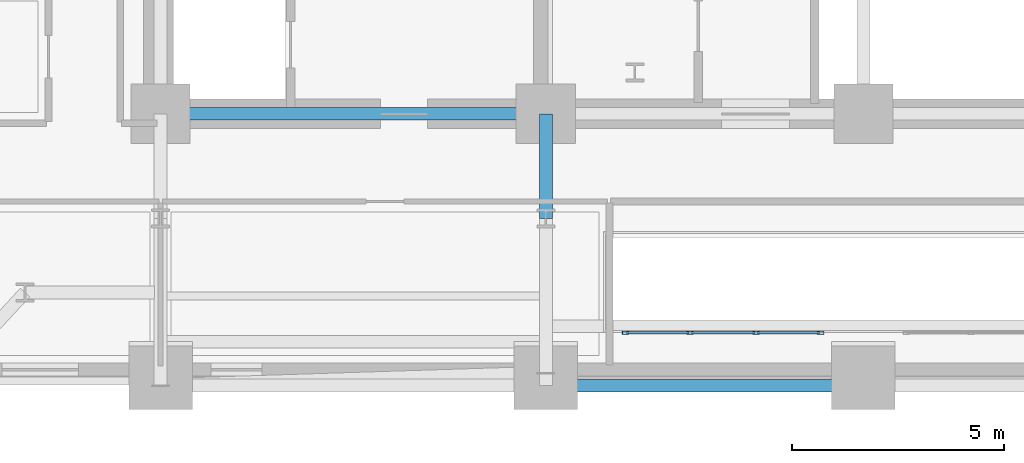
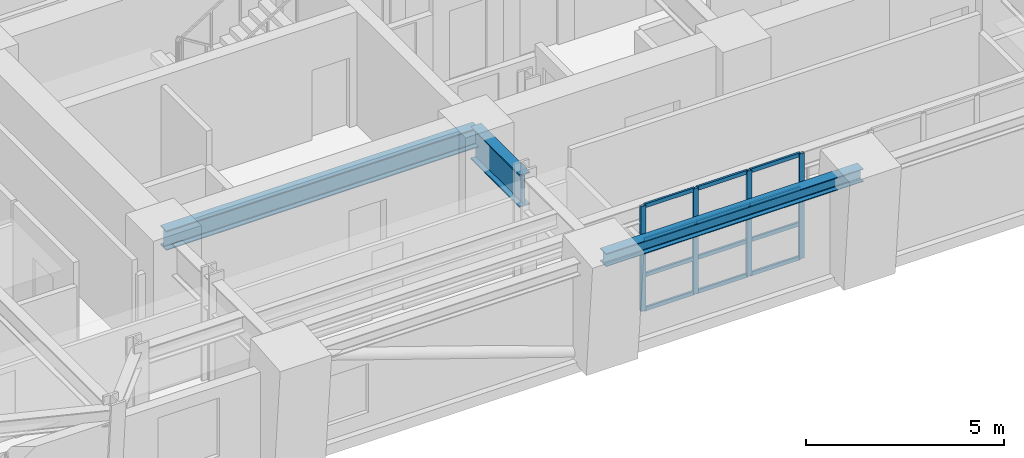
# One storey, part 2 of 15: 16 members, 3 beams, 1 element without a shape of its own.
"""IFC4 building model written with IfcOpenShell, lengths in metres."""

import ifcopenshell
import ifcopenshell.guid

model = None  # the IFC model being written
_history = None  # IfcOwnerHistory: only IFC2X3 demands one
_inside = {}  # id of a spatial element -> (the spatial element, [elements in it])
_under = {}  # id of a project, library or spatial element -> (it, [spatial elements below it])
_declared = {}  # id of a project -> (the project, [libraries it declares])
_typed = {}  # id of a type object -> (the type object, [elements of that type])
_made_of = {}  # id of a material, layer set ... -> (it, [elements and type objects made of it])


def new_model(schema):
    """Start an empty IFC model of exactly this schema.

    Asked for "IFC4X3", IfcOpenShell would pick the latest addendum, in which some entities
    have other attributes; the version numbers below select the first issue.
    IFC2X3 requires an IfcOwnerHistory on every rooted entity: one is made here for all.
    """
    global model, _history
    if schema == "IFC4X3":
        model = ifcopenshell.file(schema_version=(4, 3, 0, 0))
    else:
        model = ifcopenshell.file(schema=schema)
    _inside.clear()
    _under.clear()
    _declared.clear()
    _typed.clear()
    _made_of.clear()
    _history = None
    if model.schema == "IFC2X3":
        org = make("IfcOrganization", Name="unknown")
        user = make(
            "IfcPersonAndOrganization",
            ThePerson=make("IfcPerson", FamilyName="unknown"),
            TheOrganization=org,
        )
        app = make(
            "IfcApplication",
            ApplicationDeveloper=org,
            Version="unknown",
            ApplicationFullName="unknown",
            ApplicationIdentifier="unknown",
        )
        _history = make(
            "IfcOwnerHistory",
            OwningUser=user,
            OwningApplication=app,
            ChangeAction="ADDED",
            CreationDate=0,
        )
    return model


def make(cls, **values):
    """One entity of the class cls with the attributes given. An attribute that is None is left unset."""
    return model.create_entity(
        cls, **{name: value for name, value in values.items() if value is not None}
    )


def rooted(cls, **values):
    """An entity with a GlobalId (a new one), such as an element, a storey or a relation."""
    return make(cls, GlobalId=ifcopenshell.guid.new(), OwnerHistory=_history, **values)


def si_unit(unit_type, name, prefix=None):
    """IfcSIUnit, for example si_unit("LENGTHUNIT", "METRE", prefix="MILLI")."""
    return make("IfcSIUnit", UnitType=unit_type, Prefix=prefix, Name=name)


def assignment(units):
    """IfcUnitAssignment: the units of a project."""
    return None if units is None else make("IfcUnitAssignment", Units=units)


def point(xyz):
    """IfcCartesianPoint."""
    return None if xyz is None else make("IfcCartesianPoint", Coordinates=xyz)


def direction(xyz):
    """IfcDirection."""
    return None if xyz is None else make("IfcDirection", DirectionRatios=xyz)


def frame(location, z_axis=None, x_axis=None):
    """IfcAxis2Placement3D, a coordinate frame: its origin and axes. An axis left out is left unset."""
    return make(
        "IfcAxis2Placement3D",
        Location=point(location),
        Axis=direction(z_axis),
        RefDirection=direction(x_axis),
    )


def frame_2d(location, x_axis=None):
    """IfcAxis2Placement2D, a coordinate frame in the plane: its origin and x axis."""
    return make(
        "IfcAxis2Placement2D", Location=point(location), RefDirection=direction(x_axis)
    )


def origin():
    """The frame at (0, 0, 0) with its axes left unset."""
    return frame((0.0, 0.0, 0.0))


def origin_2d():
    """The frame at (0, 0) in the plane with its x axis left unset."""
    return frame_2d((0.0, 0.0))


def place(relative_to, where):
    """IfcLocalPlacement: puts the frame where relative to a parent placement (None: the world)."""
    return make(
        "IfcLocalPlacement", PlacementRelTo=relative_to, RelativePlacement=where
    )


def context(
    kind, dimensions, precision=None, world=None, true_north=None, identifier=None
):
    """IfcGeometricRepresentationContext, for example the 3D "Model" context."""
    return make(
        "IfcGeometricRepresentationContext",
        ContextIdentifier=identifier,
        ContextType=kind,
        CoordinateSpaceDimension=dimensions,
        Precision=precision,
        WorldCoordinateSystem=world,
        TrueNorth=true_north,
    )


def subcontext(parent, identifier, kind, view, scale=None):
    """IfcGeometricRepresentationSubContext, for example "Body" below "Model"."""
    return make(
        "IfcGeometricRepresentationSubContext",
        ContextIdentifier=identifier,
        ContextType=kind,
        ParentContext=parent,
        TargetScale=scale,
        TargetView=view,
    )


def project(units=None, contexts=None):
    """IfcProject with its units and contexts."""
    return rooted(
        "IfcProject",
        Name="project",
        RepresentationContexts=contexts,
        UnitsInContext=assignment(units),
    )


def spatial(cls, under=None, at=None, **own):
    """A site, building, storey or space (cls), placed at a placement, below another one or the project."""
    s = rooted(cls, ObjectPlacement=at, **own)
    if under is not None:
        _under.setdefault(under.id(), (under, []))[1].append(s)
    return s


def profile(cls, at=None, kind="AREA", **sizes):
    """A parametric profile (cls). Its sizes go by their IFC names, for example OverallWidth=200.0."""
    return make(cls, ProfileType=kind, Position=at, **sizes)


def hollow_rectangle(**sizes):
    """IfcRectangleHollowProfileDef."""
    return profile("IfcRectangleHollowProfileDef", **sizes)


def i_section(**sizes):
    """IfcIShapeProfileDef."""
    return profile("IfcIShapeProfileDef", **sizes)


def extrude(swept, where, along, depth):
    """IfcExtrudedAreaSolid: the profile swept, set in the frame where, extruded along a direction by depth."""
    return make(
        "IfcExtrudedAreaSolid",
        SweptArea=swept,
        Position=where,
        ExtrudedDirection=direction(along),
        Depth=depth,
    )


def shape(context_of_items, identifier, shape_type, items):
    """IfcShapeRepresentation: the items that make up one representation, for example the "Body"."""
    return make(
        "IfcShapeRepresentation",
        ContextOfItems=context_of_items,
        RepresentationIdentifier=identifier,
        RepresentationType=shape_type,
        Items=items,
    )


def material(Name=None, Category=None):
    """IfcMaterial."""
    return make("IfcMaterial", Name=Name, Category=Category)


def layer(
    of_material, thickness, ventilated=None, Name=None, Category=None, Priority=None
):
    """IfcMaterialLayer: one layer of a wall or slab, of a material (None: an air gap)."""
    return make(
        "IfcMaterialLayer",
        Material=of_material,
        LayerThickness=thickness,
        IsVentilated=ventilated,
        Name=Name,
        Category=Category,
        Priority=Priority,
    )


def layer_set(layers, Name=None):
    """IfcMaterialLayerSet."""
    return make("IfcMaterialLayerSet", MaterialLayers=layers, LayerSetName=Name)


def material_profile(
    of_material, cross_section, Name=None, Category=None, Priority=None
):
    """IfcMaterialProfile: a cross section and its material."""
    return make(
        "IfcMaterialProfile",
        Name=Name,
        Material=of_material,
        Profile=cross_section,
        Priority=Priority,
        Category=Category,
    )


def profile_set(profiles, Name=None, composite=None):
    """IfcMaterialProfileSet."""
    return make(
        "IfcMaterialProfileSet",
        Name=Name,
        MaterialProfiles=profiles,
        CompositeProfile=composite,
    )


def made_of(thing, what):
    """Note that an element or type object is made of a material, layer set ...; save() writes the relation."""
    if what is not None:
        _made_of.setdefault(what.id(), (what, []))[1].append(thing)
    return thing


def type_object(cls, material=None, **own):
    """A type object (cls), such as IfcWallType, which elements share."""
    return made_of(rooted(cls, **own), material)


def element(
    cls,
    number,
    at=None,
    inside=None,
    cuts=None,
    type_object=None,
    material=None,
    context=None,
    identifier="Body",
    shape_type=None,
    held_by="IfcProductDefinitionShape",
    body=None,
    shapes=None,
    **own,
):
    """One element of the class cls, such as IfcWall. Its Tag is "e" and its number.

    at: its placement. inside: the storey or other place that contains it. cuts: it is an
    opening in that element (IfcRelVoidsElement). A single representation is given by context,
    identifier, shape_type and body (its items); several are given by shapes. held_by: the class
    of the entity that holds the representations. save() writes the other relations.
    """
    e = rooted(cls, Tag="e%d" % number, ObjectPlacement=at, **own)
    if body is not None:
        shapes = [shape(context, identifier, shape_type, body)]
    if shapes is not None:
        e.Representation = make(held_by, Representations=shapes)
    if inside is not None:
        _inside.setdefault(inside.id(), (inside, []))[1].append(e)
    if cuts is not None:
        rooted(
            "IfcRelVoidsElement", RelatingBuildingElement=cuts, RelatedOpeningElement=e
        )
    if type_object is not None:
        _typed.setdefault(type_object.id(), (type_object, []))[1].append(e)
    return made_of(e, material)


def aggregate(whole, parts):
    """IfcRelAggregates: a whole, such as a stair, and the parts it consists of."""
    return rooted("IfcRelAggregates", RelatingObject=whole, RelatedObjects=parts)


def save(model, path):
    """Write the relations noted so far, then the file.

    IfcRelAggregates (storeys below a building ...), IfcRelContainedInSpatialStructure (elements
    in a storey), IfcRelDefinesByType, IfcRelAssociatesMaterial and IfcRelDeclares: one each for
    every whole, place, type object, material and project.
    """
    for whole, parts in _under.values():
        aggregate(whole, parts)
    for where, things in _inside.values():
        rooted(
            "IfcRelContainedInSpatialStructure",
            RelatedElements=things,
            RelatingStructure=where,
        )
    for kind, things in _typed.values():
        rooted("IfcRelDefinesByType", RelatedObjects=things, RelatingType=kind)
    for what, things in _made_of.values():
        rooted("IfcRelAssociatesMaterial", RelatedObjects=things, RelatingMaterial=what)
    for by, libraries in _declared.values():
        rooted("IfcRelDeclares", RelatingContext=by, RelatedDefinitions=libraries)
    model.write(path)


model = new_model("IFC4")

# Units and contexts
model_context = context("Model", 3, precision=1e-05, world=origin(), true_north=direction((0.0, 1.0)))
body_context = subcontext(model_context, "Body", "Model", "MODEL_VIEW")
ifc_project = project(units=[si_unit("LENGTHUNIT", "METRE"), si_unit("AREAUNIT", "SQUARE_METRE"), si_unit("VOLUMEUNIT", "CUBIC_METRE"), si_unit("PLANEANGLEUNIT", "RADIAN"), si_unit("MASSUNIT", "GRAM", prefix="KILO")], contexts=[model_context])

# Site, building, storey
site_placement = place(None, origin())
site = spatial("IfcSite", under=ifc_project, at=site_placement, CompositionType="ELEMENT")
building_placement = place(site_placement, origin())
building = spatial("IfcBuilding", under=site, at=building_placement, Name="Zarnavel Station Tower", CompositionType="ELEMENT")
storey_placement = place(building_placement, frame((0.0, 0.0, 50.0)))
storey = spatial("IfcBuildingStorey", under=building, at=storey_placement, Name="L13", CompositionType="ELEMENT", Elevation=50.0)

# Curtain wall, members
ifc_material_1 = material(Name="Aluminium Dark Anodised and Solar-Control Glass", Category="aluminium")
ifc_layer = layer(ifc_material_1, 0.179931640625)
ifc_layer_set = layer_set([ifc_layer], Name="CWS2")
curtain_wall_type = type_object("IfcCurtainWallType", Name="CWS2", PredefinedType="NOTDEFINED", material=ifc_layer_set)
curtain_wall_placement = place(storey_placement, origin())
curtain_wall = element("IfcCurtainWall", 1, at=curtain_wall_placement, inside=storey, type_object=curtain_wall_type, Name="L13 Curtain Wall CWS2-L13-AS-S1", PredefinedType="NOTDEFINED")
ifc_material_2 = material(Name="Steel S355J2 (Black Fluoropolymer Coated)", Category="steel")
ifc_material_profile_1 = material_profile(ifc_material_2, hollow_rectangle(XDim=0.074951171875, YDim=0.14990234375, WallThickness=0.00634765625, at=origin_2d()), Name="RHS150x75x6.3")
ifc_profile_set_1 = profile_set([ifc_material_profile_1], Name="Steel S355J2 (Black Fluoropolymer Coated)")
member_type_1 = type_object("IfcMemberType", Name="CWS2_MUL", PredefinedType="MULLION", material=ifc_profile_set_1)
member_1_placement = place(storey_placement, frame((23.179931640625, 22.64990234375, 0.0), z_axis=(0.0, 0.0, 1.0), x_axis=(0.0, 1.0, 0.0)))
member_1 = element("IfcMember", 2, at=member_1_placement, type_object=member_type_1, Name="CW2 mullion 1", PredefinedType="MULLION", context=body_context, shape_type="SweptSolid", body=[
    extrude(hollow_rectangle(XDim=0.074951171875, YDim=0.14990234375, WallThickness=0.00634765625, at=origin_2d()), origin(), (0.0, 0.0, 1.0), 3.239990234375),
])
member_2_placement = place(storey_placement, frame((24.706787109375, 22.64990234375, 0.0), z_axis=(0.0, 0.0, 1.0), x_axis=(0.0, 1.0, 0.0)))
member_2 = element("IfcMember", 3, at=member_2_placement, type_object=member_type_1, Name="CW2 mullion 2", PredefinedType="MULLION", context=body_context, shape_type="SweptSolid", body=[
    extrude(hollow_rectangle(XDim=0.074951171875, YDim=0.14990234375, WallThickness=0.00634765625, at=origin_2d()), origin(), (0.0, 0.0, 1.0), 3.239990234375),
])
member_3_placement = place(storey_placement, frame((26.263427734375, 22.64990234375, 0.0), z_axis=(0.0, 0.0, 1.0), x_axis=(0.0, 1.0, 0.0)))
member_3 = element("IfcMember", 4, at=member_3_placement, type_object=member_type_1, Name="CW2 mullion 3", PredefinedType="MULLION", context=body_context, shape_type="SweptSolid", body=[
    extrude(hollow_rectangle(XDim=0.074951171875, YDim=0.14990234375, WallThickness=0.00634765625, at=origin_2d()), origin(), (0.0, 0.0, 1.0), 3.239990234375),
])
member_4_placement = place(storey_placement, frame((27.7900390625, 22.64990234375, 0.0), z_axis=(0.0, 0.0, 1.0), x_axis=(0.0, 1.0, 0.0)))
member_4 = element("IfcMember", 5, at=member_4_placement, type_object=member_type_1, Name="CW2 mullion 4", PredefinedType="MULLION", context=body_context, shape_type="SweptSolid", body=[
    extrude(hollow_rectangle(XDim=0.074951171875, YDim=0.14990234375, WallThickness=0.00634765625, at=origin_2d()), origin(), (0.0, 0.0, 1.0), 3.239990234375),
])
ifc_material_3 = material(Name="Steel S355J2 (Black Fluoropolymer Coated)", Category="steel")
ifc_material_profile_2 = material_profile(ifc_material_3, hollow_rectangle(XDim=0.06005859375, YDim=0.1201171875, WallThickness=0.0048828125, at=origin_2d()), Name="RHS120x60x5")
ifc_profile_set_2 = profile_set([ifc_material_profile_2], Name="Steel S355J2 (Black Fluoropolymer Coated)")
member_type_2 = type_object("IfcMemberType", Name="CWS2_TRN", PredefinedType="USERDEFINED", material=ifc_profile_set_2)
member_5_placement = place(storey_placement, frame((23.2099609375, 22.64990234375, 0.030029296875), z_axis=(1.0, 0.0, 0.0), x_axis=(0.0, 1.0, 0.0)))
member_5 = element("IfcMember", 6, at=member_5_placement, type_object=member_type_2, Name="CW2 transom 1.1", ObjectType="TRANSOM", PredefinedType="USERDEFINED", context=body_context, shape_type="SweptSolid", body=[
    extrude(hollow_rectangle(XDim=0.06005859375, YDim=0.1201171875, WallThickness=0.0048828125, at=origin_2d()), origin(), (0.0, 0.0, 1.0), 1.466796875),
])
member_6_placement = place(storey_placement, frame((23.2099609375, 22.64990234375, 1.080078125), z_axis=(1.0, 0.0, 0.0), x_axis=(0.0, 1.0, 0.0)))
member_6 = element("IfcMember", 7, at=member_6_placement, type_object=member_type_2, Name="CW2 transom 1.2", ObjectType="TRANSOM", PredefinedType="USERDEFINED", context=body_context, shape_type="SweptSolid", body=[
    extrude(hollow_rectangle(XDim=0.06005859375, YDim=0.1201171875, WallThickness=0.0048828125, at=origin_2d()), origin(), (0.0, 0.0, 1.0), 1.466796875),
])
member_7_placement = place(storey_placement, frame((23.2099609375, 22.64990234375, 2.159912109375), z_axis=(1.0, 0.0, 0.0), x_axis=(0.0, 1.0, 0.0)))
member_7 = element("IfcMember", 8, at=member_7_placement, type_object=member_type_2, Name="CW2 transom 1.3", ObjectType="TRANSOM", PredefinedType="USERDEFINED", context=body_context, shape_type="SweptSolid", body=[
    extrude(hollow_rectangle(XDim=0.06005859375, YDim=0.1201171875, WallThickness=0.0048828125, at=origin_2d()), origin(), (0.0, 0.0, 1.0), 1.466796875),
])
member_8_placement = place(storey_placement, frame((23.2099609375, 22.64990234375, 3.2099609375), z_axis=(1.0, 0.0, 0.0), x_axis=(0.0, 1.0, 0.0)))
member_8 = element("IfcMember", 9, at=member_8_placement, type_object=member_type_2, Name="CW2 transom 1.4", ObjectType="TRANSOM", PredefinedType="USERDEFINED", context=body_context, shape_type="SweptSolid", body=[
    extrude(hollow_rectangle(XDim=0.06005859375, YDim=0.1201171875, WallThickness=0.0048828125, at=origin_2d()), origin(), (0.0, 0.0, 1.0), 1.466796875),
])
member_9_placement = place(storey_placement, frame((24.736572265625, 22.64990234375, 0.030029296875), z_axis=(1.0, 0.0, 0.0), x_axis=(0.0, 1.0, 0.0)))
member_9 = element("IfcMember", 10, at=member_9_placement, type_object=member_type_2, Name="CW2 transom 2.1", ObjectType="TRANSOM", PredefinedType="USERDEFINED", context=body_context, shape_type="SweptSolid", body=[
    extrude(hollow_rectangle(XDim=0.06005859375, YDim=0.1201171875, WallThickness=0.0048828125, at=origin_2d()), origin(), (0.0, 0.0, 1.0), 1.496826171875),
])
member_10_placement = place(storey_placement, frame((24.736572265625, 22.64990234375, 1.080078125), z_axis=(1.0, 0.0, 0.0), x_axis=(0.0, 1.0, 0.0)))
member_10 = element("IfcMember", 11, at=member_10_placement, type_object=member_type_2, Name="CW2 transom 2.2", ObjectType="TRANSOM", PredefinedType="USERDEFINED", context=body_context, shape_type="SweptSolid", body=[
    extrude(hollow_rectangle(XDim=0.06005859375, YDim=0.1201171875, WallThickness=0.0048828125, at=origin_2d()), origin(), (0.0, 0.0, 1.0), 1.496826171875),
])
member_11_placement = place(storey_placement, frame((24.736572265625, 22.64990234375, 2.159912109375), z_axis=(1.0, 0.0, 0.0), x_axis=(0.0, 1.0, 0.0)))
member_11 = element("IfcMember", 12, at=member_11_placement, type_object=member_type_2, Name="CW2 transom 2.3", ObjectType="TRANSOM", PredefinedType="USERDEFINED", context=body_context, shape_type="SweptSolid", body=[
    extrude(hollow_rectangle(XDim=0.06005859375, YDim=0.1201171875, WallThickness=0.0048828125, at=origin_2d()), origin(), (0.0, 0.0, 1.0), 1.496826171875),
])
member_12_placement = place(storey_placement, frame((24.736572265625, 22.64990234375, 3.2099609375), z_axis=(1.0, 0.0, 0.0), x_axis=(0.0, 1.0, 0.0)))
member_12 = element("IfcMember", 13, at=member_12_placement, type_object=member_type_2, Name="CW2 transom 2.4", ObjectType="TRANSOM", PredefinedType="USERDEFINED", context=body_context, shape_type="SweptSolid", body=[
    extrude(hollow_rectangle(XDim=0.06005859375, YDim=0.1201171875, WallThickness=0.0048828125, at=origin_2d()), origin(), (0.0, 0.0, 1.0), 1.496826171875),
])
member_13_placement = place(storey_placement, frame((26.293212890625, 22.64990234375, 0.030029296875), z_axis=(1.0, 0.0, 0.0), x_axis=(0.0, 1.0, 0.0)))
member_13 = element("IfcMember", 14, at=member_13_placement, type_object=member_type_2, Name="CW2 transom 3.1", ObjectType="TRANSOM", PredefinedType="USERDEFINED", context=body_context, shape_type="SweptSolid", body=[
    extrude(hollow_rectangle(XDim=0.06005859375, YDim=0.1201171875, WallThickness=0.0048828125, at=origin_2d()), origin(), (0.0, 0.0, 1.0), 1.466796875),
])
member_14_placement = place(storey_placement, frame((26.293212890625, 22.64990234375, 1.080078125), z_axis=(1.0, 0.0, 0.0), x_axis=(0.0, 1.0, 0.0)))
member_14 = element("IfcMember", 15, at=member_14_placement, type_object=member_type_2, Name="CW2 transom 3.2", ObjectType="TRANSOM", PredefinedType="USERDEFINED", context=body_context, shape_type="SweptSolid", body=[
    extrude(hollow_rectangle(XDim=0.06005859375, YDim=0.1201171875, WallThickness=0.0048828125, at=origin_2d()), origin(), (0.0, 0.0, 1.0), 1.466796875),
])
member_15_placement = place(storey_placement, frame((26.293212890625, 22.64990234375, 2.159912109375), z_axis=(1.0, 0.0, 0.0), x_axis=(0.0, 1.0, 0.0)))
member_15 = element("IfcMember", 16, at=member_15_placement, type_object=member_type_2, Name="CW2 transom 3.3", ObjectType="TRANSOM", PredefinedType="USERDEFINED", context=body_context, shape_type="SweptSolid", body=[
    extrude(hollow_rectangle(XDim=0.06005859375, YDim=0.1201171875, WallThickness=0.0048828125, at=origin_2d()), origin(), (0.0, 0.0, 1.0), 1.466796875),
])
member_16_placement = place(storey_placement, frame((26.293212890625, 22.64990234375, 3.2099609375), z_axis=(1.0, 0.0, 0.0), x_axis=(0.0, 1.0, 0.0)))
member_16 = element("IfcMember", 17, at=member_16_placement, type_object=member_type_2, Name="CW2 transom 3.4", ObjectType="TRANSOM", PredefinedType="USERDEFINED", context=body_context, shape_type="SweptSolid", body=[
    extrude(hollow_rectangle(XDim=0.06005859375, YDim=0.1201171875, WallThickness=0.0048828125, at=origin_2d()), origin(), (0.0, 0.0, 1.0), 1.466796875),
])
aggregate(curtain_wall, [member_1, member_2, member_3, member_4, member_5, member_6, member_7, member_8, member_9, member_10, member_11, member_12, member_13, member_14, member_15, member_16])

# Beams
ifc_material_4 = material(Name="Steel S355J2", Category="steel")
ifc_material_profile_3 = material_profile(ifc_material_4, i_section(OverallWidth=0.300048828125, OverallDepth=0.39990234375, WebThickness=0.013427734375, FlangeThickness=0.02392578125, FilletRadius=0.027099609375, at=origin_2d()), Name="HEB400")
ifc_profile_set_3 = profile_set([ifc_material_profile_3], Name="Steel S355J2")
beam_type_1 = type_object("IfcBeamType", Name="EB_HEB400", PredefinedType="SPANDREL", material=ifc_profile_set_3)
beam_1_placement = place(storey_placement, frame((21.300048828125, 21.4033203125, 3.0400390625), z_axis=(1.0, 0.0, 0.0), x_axis=(0.0, 1.0, 0.0)))
element("IfcBeam", 18, at=beam_1_placement, inside=storey, type_object=beam_type_1, Name="L13 South Raked Spandrel 2", PredefinedType="SPANDREL", context=body_context, shape_type="SweptSolid", body=[
    extrude(i_section(OverallWidth=0.300048828125, OverallDepth=0.39990234375, WebThickness=0.013427734375, FlangeThickness=0.02392578125, FilletRadius=0.027099609375, at=origin_2d()), origin(), (0.0, 0.0, 1.0), 7.5),
])
ifc_material_5 = material(Name="Steel S355J2", Category="steel")
ifc_material_profile_4 = material_profile(ifc_material_5, i_section(OverallWidth=0.300048828125, OverallDepth=0.60009765625, WebThickness=0.015380859375, FlangeThickness=0.030029296875, FilletRadius=0.027099609375, at=origin_2d()), Name="HEB600")
ifc_profile_set_4 = profile_set([ifc_material_profile_4], Name="Steel S355J2")
beam_type_2 = type_object("IfcBeamType", Name="FG_HEB600", PredefinedType="USERDEFINED", material=ifc_profile_set_4)
beam_2_placement = place(storey_placement, frame((12.199951171875, 27.820068359375, 2.93994140625), z_axis=(1.0, 0.0, 0.0), x_axis=(0.0, 1.0, 0.0)))
element("IfcBeam", 19, at=beam_2_placement, inside=storey, type_object=beam_type_2, Name="L13 Core Front Coupling Beam 1", ObjectType="GIRDER", PredefinedType="USERDEFINED", context=body_context, shape_type="SweptSolid", body=[
    extrude(i_section(OverallWidth=0.300048828125, OverallDepth=0.60009765625, WebThickness=0.015380859375, FlangeThickness=0.030029296875, FilletRadius=0.027099609375, at=origin_2d()), origin(), (0.0, 0.0, 1.0), 9.10009765625),
])
ifc_material_6 = material(Name="Steel S460M", Category="steel")
ifc_material_profile_5 = material_profile(ifc_material_6, i_section(OverallWidth=0.302001953125, OverallDepth=1.008056640625, WebThickness=0.02099609375, FlangeThickness=0.0400390625, FilletRadius=0.030029296875, at=origin_2d()), Name="HEM1000")
ifc_profile_set_5 = profile_set([ifc_material_profile_5], Name="Steel S460M")
beam_type_3 = type_object("IfcBeamType", Name="TG_HEM1000", PredefinedType="USERDEFINED", material=ifc_profile_set_5)
beam_3_placement = place(storey_placement, frame((21.300048828125, 25.35009765625, 2.736083984375), z_axis=(0.0, 1.0, 0.0), x_axis=(-1.0, 0.0, 0.0)))
element("IfcBeam", 20, at=beam_3_placement, inside=storey, type_object=beam_type_3, Name="L13 Inner-Zone NS Girder 2", ObjectType="GIRDER", PredefinedType="USERDEFINED", context=body_context, shape_type="SweptSolid", body=[
    extrude(i_section(OverallWidth=0.302001953125, OverallDepth=1.008056640625, WebThickness=0.02099609375, FlangeThickness=0.0400390625, FilletRadius=0.030029296875, at=origin_2d()), origin(), (0.0, 0.0, 1.0), 2.469970703125),
])

save(model, "model.ifc")
